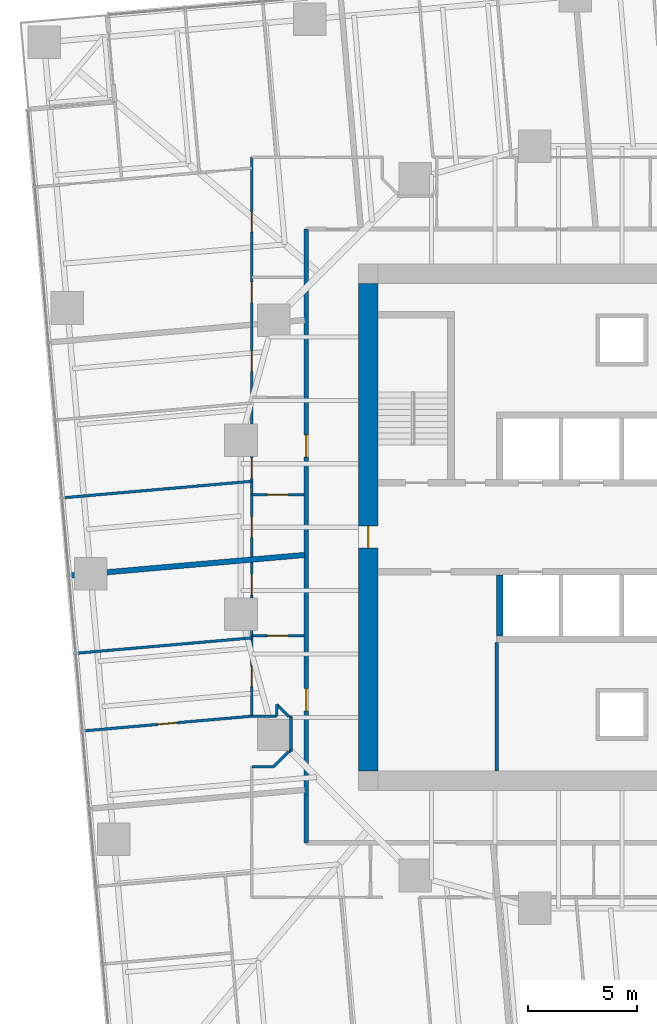
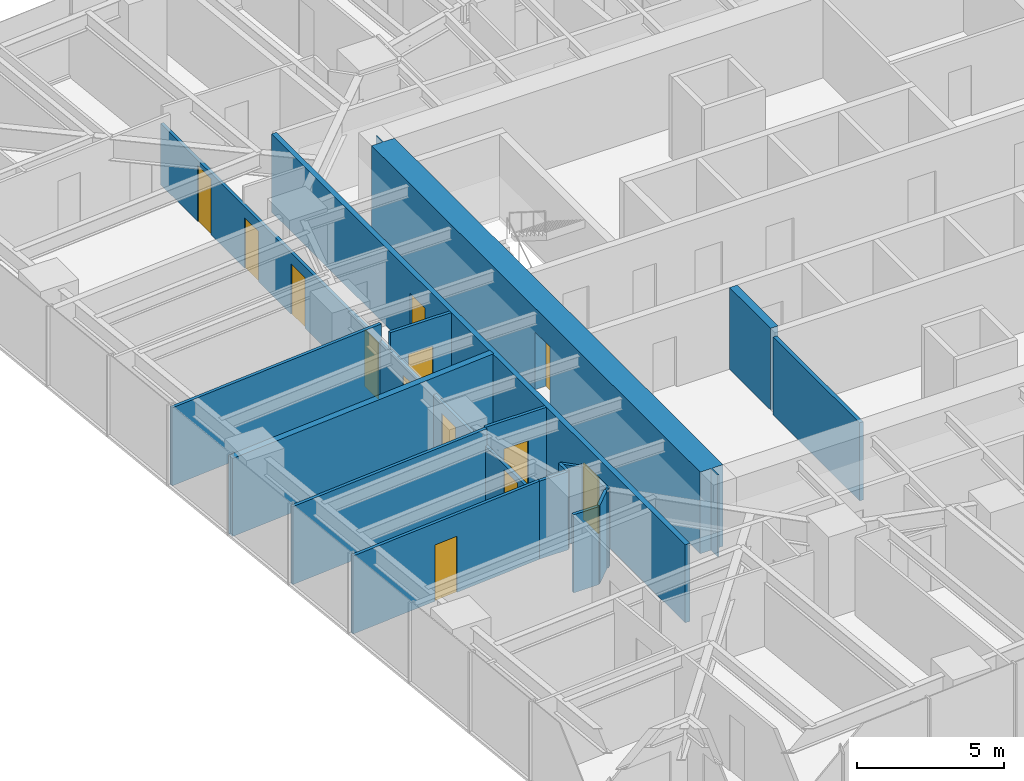
# One storey, part 9 of 14: 19 walls, 13 doors, 13 openings.
"""IFC4 building model written with IfcOpenShell, lengths in metres."""

from ifc_helpers import new_model, si_unit, direction, frame, frame_2d, origin, place, context, subcontext, project, spatial, polyline, rectangle, outline, extrude, material, layer, layer_set, type_object, element, fill, save


model = new_model("IFC4")

# Units and contexts
model_context = context("Model", 3, precision=1e-05, world=origin(), true_north=direction((0.0, 1.0)))
body_context = subcontext(model_context, "Body", "Model", "MODEL_VIEW")
ifc_project = project(units=[si_unit("LENGTHUNIT", "METRE"), si_unit("AREAUNIT", "SQUARE_METRE"), si_unit("VOLUMEUNIT", "CUBIC_METRE"), si_unit("PLANEANGLEUNIT", "RADIAN"), si_unit("MASSUNIT", "GRAM", prefix="KILO")], contexts=[model_context])

# Site, building, storey
site_placement = place(None, origin())
site = spatial("IfcSite", under=ifc_project, at=site_placement, CompositionType="ELEMENT")
building_placement = place(site_placement, origin())
building = spatial("IfcBuilding", under=site, at=building_placement, Name="Torsade Residences", CompositionType="ELEMENT")
storey_placement = place(building_placement, frame((0.0, 0.0, 54.0)))
storey = spatial("IfcBuildingStorey", under=building, at=storey_placement, Name="L14", CompositionType="ELEMENT", Elevation=54.0)

# Wall
ifc_material_1 = material(Name="Concrete 80 MPa", Category="concrete")
ifc_layer_1 = layer(ifc_material_1, 0.300048828125)
ifc_layer_set_1 = layer_set([ifc_layer_1], Name="Concrete 80 MPa")
wall_type_1 = type_object("IfcWallType", Name="CORE INTERNAL WALL 300", PredefinedType="SHEAR", material=ifc_layer_set_1)
wall_1_placement = place(storey_placement, frame((34.39990234375, 27.800048828125, 0.0), z_axis=(0.0, 0.0, 1.0), x_axis=(0.0, -1.0, 0.0)))
element("IfcWall", 1, at=wall_1_placement, inside=storey, type_object=wall_type_1, Name="Core wall DS4 L14", PredefinedType="SHEAR", context=body_context, shape_type="SweptSolid", body=[
    extrude(rectangle(XDim=2.800048828125, YDim=0.300048828125, at=frame_2d((1.39990234375, 0.0))), origin(), (0.0, 0.0, 1.0), 3.39990234375),
])

# Wall, opening, door
ifc_material_2 = material(Name="Concrete 80 MPa", Category="concrete")
ifc_layer_2 = layer(ifc_material_2, 0.89990234375)
ifc_layer_set_2 = layer_set([ifc_layer_2], Name="Concrete 80 MPa")
wall_type_2 = type_object("IfcWallType", Name="CORE WALL 900", PredefinedType="SHEAR", material=ifc_layer_set_2)
wall_2_placement = place(storey_placement, frame((28.35009765625, 41.199951171875, 0.0), z_axis=(0.0, 0.0, 1.0), x_axis=(0.0, -1.0, 0.0)))
wall_2 = element("IfcWall", 2, at=wall_2_placement, inside=storey, type_object=wall_type_2, Name="Core wall W L14", PredefinedType="SHEAR", context=body_context, shape_type="SweptSolid", body=[
    extrude(outline(polyline([(0.0, -0.449951171875), (22.39990234375, -0.449951171875), (22.39990234375, -0.02490234375), (22.849853515625, -0.02490234375), (22.849853515625, 0.02490234375), (22.39990234375, 0.02490234375), (22.39990234375, 0.449951171875), (0.0, 0.449951171875), (0.0, 0.02490234375), (-0.449951171875, 0.02490234375), (-0.449951171875, -0.02490234375), (0.0, -0.02490234375), (0.0, -0.449951171875)])), origin(), (0.0, 0.0, 1.0), 3.39990234375),
])
opening_1_placement = place(wall_2_placement, frame((11.139892578125, 0.0, 0.0)))
opening_1 = element("IfcOpeningElement", 3, at=opening_1_placement, cuts=wall_2, Name="Opening D04", PredefinedType="OPENING", context=body_context, shape_type="SweptSolid", body=[
    extrude(rectangle(XDim=1.02001953125, YDim=2.39990234375, at=frame_2d((0.510009765625, 1.199951171875))), frame((0.0, 0.4599609375, 0.0), z_axis=(0.0, -1.0, 0.0), x_axis=(1.0, 0.0, 0.0)), (0.0, 0.0, 1.0), 0.919921875),
])
ifc_material_3 = material(Name="Steel-framed fire door", Category="steel")
door_type_1 = type_object("IfcDoorType", Name="LOBBY SMOKE DOOR 1020x2400", OperationType="NOTDEFINED", PredefinedType="DOOR", material=ifc_material_3)
door_1_placement = place(opening_1_placement, origin())
door_1 = element("IfcDoor", 4, at=door_1_placement, inside=storey, type_object=door_type_1, Name="Lift lobby door W L14", OperationType="SINGLE_SWING_RIGHT", OverallHeight=2.39990234375, OverallWidth=1.02001953125, PredefinedType="DOOR", context=body_context, shape_type="SweptSolid", body=[
    extrude(rectangle(XDim=1.02001953125, YDim=2.39990234375, at=frame_2d((0.510009765625, 1.199951171875))), frame((0.0, 0.02490234375, 0.0), z_axis=(0.0, -1.0, 0.0), x_axis=(1.0, 0.0, 0.0)), (0.0, 0.0, 1.0), 0.050048828125),
])
fill(opening_1, door_1)

# Wall, openings, doors
ifc_material_4 = material(Name="Plasterboard on steel stud", Category="steel")
ifc_layer_3 = layer(ifc_material_4, 0.199951171875)
ifc_layer_set_3 = layer_set([ifc_layer_3], Name="Plasterboard on steel stud")
wall_type_3 = type_object("IfcWallType", Name="CORRIDOR WALL 200", PredefinedType="PARTITIONING", material=ifc_layer_set_3)
wall_3_placement = place(storey_placement, frame((25.5, 43.699951171875, 0.0), z_axis=(0.0, 0.0, 1.0), x_axis=(0.0, -1.0, 0.0)))
wall_3 = element("IfcWall", 5, at=wall_3_placement, inside=storey, type_object=wall_type_3, Name="Corridor wall L14", PredefinedType="PARTITIONING", context=body_context, shape_type="SweptSolid", body=[
    extrude(rectangle(XDim=28.199951171875, YDim=0.199951171875, at=frame_2d((14.10009765625, 0.0))), origin(), (0.0, 0.0, 1.0), 3.25),
])
opening_2_placement = place(wall_3_placement, frame((21.113037109375, 0.0, 0.0)))
opening_2 = element("IfcOpeningElement", 6, at=opening_2_placement, cuts=wall_3, Name="Opening D01", PredefinedType="OPENING", context=body_context, shape_type="SweptSolid", body=[
    extrude(rectangle(XDim=1.02001953125, YDim=2.340087890625, at=frame_2d((0.510009765625, 1.169921875))), frame((0.0, 0.10986328125, 0.0), z_axis=(0.0, -1.0, 0.0), x_axis=(1.0, 0.0, 0.0)), (0.0, 0.0, 1.0), 0.219970703125),
])
opening_3_placement = place(wall_3_placement, frame((9.45703125, 0.0, 0.0)))
opening_3 = element("IfcOpeningElement", 7, at=opening_3_placement, cuts=wall_3, Name="Opening D01", PredefinedType="OPENING", context=body_context, shape_type="SweptSolid", body=[
    extrude(rectangle(XDim=1.02001953125, YDim=2.340087890625, at=frame_2d((0.510009765625, 1.169921875))), frame((0.0, 0.10986328125, 0.0), z_axis=(0.0, -1.0, 0.0), x_axis=(1.0, 0.0, 0.0)), (0.0, 0.0, 1.0), 0.219970703125),
])
ifc_material_5 = material(Name="Solid-core timber fire door", Category="wood")
door_type_2 = type_object("IfcDoorType", Name="APARTMENT ENTRY DOOR 1020x2340", OperationType="NOTDEFINED", PredefinedType="DOOR", material=ifc_material_5)
door_2_placement = place(opening_2_placement, origin())
door_2 = element("IfcDoor", 8, at=door_2_placement, inside=storey, type_object=door_type_2, Name="Door Residential corridor to Kitchen and dining", OperationType="SINGLE_SWING_LEFT", OverallHeight=2.340087890625, OverallWidth=1.02001953125, PredefinedType="DOOR", context=body_context, shape_type="SweptSolid", body=[
    extrude(rectangle(XDim=1.02001953125, YDim=2.340087890625, at=frame_2d((0.510009765625, 1.169921875))), frame((0.0, 0.02490234375, 0.0), z_axis=(0.0, -1.0, 0.0), x_axis=(1.0, 0.0, 0.0)), (0.0, 0.0, 1.0), 0.050048828125),
])
fill(opening_2, door_2)
door_3_placement = place(opening_3_placement, origin())
door_3 = element("IfcDoor", 9, at=door_3_placement, inside=storey, type_object=door_type_2, Name="Door Residential corridor to Kitchen and dining", OperationType="SINGLE_SWING_RIGHT", OverallHeight=2.340087890625, OverallWidth=1.02001953125, PredefinedType="DOOR", context=body_context, shape_type="SweptSolid", body=[
    extrude(rectangle(XDim=1.02001953125, YDim=2.340087890625, at=frame_2d((0.510009765625, 1.169921875))), frame((0.0, 0.02490234375, 0.0), z_axis=(0.0, -1.0, 0.0), x_axis=(1.0, 0.0, 0.0)), (0.0, 0.0, 1.0), 0.050048828125),
])
fill(opening_3, door_3)

# Wall, opening, door
ifc_material_6 = material(Name="Plasterboard on steel stud", Category="steel")
ifc_layer_4 = layer(ifc_material_6, 0.1201171875)
ifc_layer_set_4 = layer_set([ifc_layer_4], Name="Plasterboard on steel stud")
wall_type_4 = type_object("IfcWallType", Name="PARTITION 120", PredefinedType="PARTITIONING", material=ifc_layer_set_4)
wall_4_placement = place(storey_placement, frame((23.0, 25.005859375, 0.0), z_axis=(0.0, 0.0, 1.0), x_axis=(1.0, 0.0, 0.0)))
wall_4 = element("IfcWall", 10, at=wall_4_placement, inside=storey, type_object=wall_type_4, Name="Partition L14", PredefinedType="PARTITIONING", context=body_context, shape_type="SweptSolid", body=[
    extrude(rectangle(XDim=2.39990234375, YDim=0.1201171875, at=frame_2d((1.199951171875, 0.0))), origin(), (0.0, 0.0, 1.0), 3.25),
])
opening_4_placement = place(wall_4_placement, frame((0.719970703125, 0.0, 0.0)))
opening_4 = element("IfcOpeningElement", 11, at=opening_4_placement, cuts=wall_4, Name="Opening D05", PredefinedType="OPENING", context=body_context, shape_type="SweptSolid", body=[
    extrude(rectangle(XDim=0.9599609375, YDim=2.10009765625, at=frame_2d((0.47998046875, 1.050048828125))), frame((0.0, 0.070068359375, 0.0), z_axis=(0.0, -1.0, 0.0), x_axis=(1.0, 0.0, 0.0)), (0.0, 0.0, 1.0), 0.14013671875),
])
ifc_material_7 = material(Name="Hollow-core timber door in a steel cavity frame", Category="steel")
door_type_3 = type_object("IfcDoorType", Name="BATHROOM CAVITY SLIDING DOOR 960", OperationType="SLIDING_TO_LEFT", PredefinedType="DOOR", material=ifc_material_7)
door_4_placement = place(opening_4_placement, origin())
door_4 = element("IfcDoor", 12, at=door_4_placement, inside=storey, type_object=door_type_3, Name="Door Kitchen and dining to Bathroom", OperationType="SLIDING_TO_LEFT", OverallHeight=2.10009765625, OverallWidth=0.9599609375, PredefinedType="DOOR", context=body_context, shape_type="SweptSolid", body=[
    extrude(rectangle(XDim=0.9599609375, YDim=2.10009765625, at=frame_2d((0.47998046875, 1.050048828125))), frame((0.0, 0.02490234375, 0.0), z_axis=(0.0, -1.0, 0.0), x_axis=(1.0, 0.0, 0.0)), (0.0, 0.0, 1.0), 0.050048828125),
])
fill(opening_4, door_4)

# Wall, openings, doors
wall_5_placement = place(storey_placement, frame((23.0, 21.318603515625, 0.0), z_axis=(0.0, 0.0, 1.0), x_axis=(0.0, 1.0, 0.0)))
wall_5 = element("IfcWall", 13, at=wall_5_placement, inside=storey, type_object=wall_type_4, Name="Partition L14", PredefinedType="PARTITIONING", context=body_context, shape_type="SweptSolid", body=[
    extrude(rectangle(XDim=25.681396484375, YDim=0.1201171875, at=frame_2d((12.8408203125, 0.0))), origin(), (0.0, 0.0, 1.0), 2.550048828125),
])
opening_5_placement = place(wall_5_placement, frame((1.36376953125, 0.0, 0.0)))
opening_5 = element("IfcOpeningElement", 14, at=opening_5_placement, cuts=wall_5, Name="Opening D02", PredefinedType="OPENING", context=body_context, shape_type="SweptSolid", body=[
    extrude(rectangle(XDim=0.919921875, YDim=2.340087890625, at=frame_2d((0.4599609375, 1.169921875))), frame((0.0, 0.070068359375, 0.0), z_axis=(0.0, -1.0, 0.0), x_axis=(1.0, 0.0, 0.0)), (0.0, 0.0, 1.0), 0.14013671875),
])
opening_6_placement = place(wall_5_placement, frame((10.9296875, 0.0, 0.0)))
opening_6 = element("IfcOpeningElement", 15, at=opening_6_placement, cuts=wall_5, Name="Opening D02", PredefinedType="OPENING", context=body_context, shape_type="SweptSolid", body=[
    extrude(rectangle(XDim=0.919921875, YDim=2.340087890625, at=frame_2d((0.4599609375, 1.169921875))), frame((0.0, 0.070068359375, 0.0), z_axis=(0.0, -1.0, 0.0), x_axis=(1.0, 0.0, 0.0)), (0.0, 0.0, 1.0), 0.14013671875),
])
opening_7_placement = place(wall_5_placement, frame((22.23291015625, 0.0, 0.0)))
opening_7 = element("IfcOpeningElement", 16, at=opening_7_placement, cuts=wall_5, Name="Opening D02", PredefinedType="OPENING", context=body_context, shape_type="SweptSolid", body=[
    extrude(rectangle(XDim=0.919921875, YDim=2.340087890625, at=frame_2d((0.4599609375, 1.169921875))), frame((0.0, 0.070068359375, 0.0), z_axis=(0.0, -1.0, 0.0), x_axis=(1.0, 0.0, 0.0)), (0.0, 0.0, 1.0), 0.14013671875),
])
opening_8_placement = place(wall_5_placement, frame((18.99072265625, 0.0, 0.0)))
opening_8 = element("IfcOpeningElement", 17, at=opening_8_placement, cuts=wall_5, Name="Opening D05", PredefinedType="OPENING", context=body_context, shape_type="SweptSolid", body=[
    extrude(rectangle(XDim=0.9599609375, YDim=2.10009765625, at=frame_2d((0.47998046875, 1.050048828125))), frame((0.0, 0.070068359375, 0.0), z_axis=(0.0, -1.0, 0.0), x_axis=(1.0, 0.0, 0.0)), (0.0, 0.0, 1.0), 0.14013671875),
])
opening_9_placement = place(wall_5_placement, frame((5.560791015625, 0.0, 0.0)))
opening_9 = element("IfcOpeningElement", 18, at=opening_9_placement, cuts=wall_5, Name="Opening D05", PredefinedType="OPENING", context=body_context, shape_type="SweptSolid", body=[
    extrude(rectangle(XDim=0.9599609375, YDim=2.10009765625, at=frame_2d((0.47998046875, 1.050048828125))), frame((0.0, 0.070068359375, 0.0), z_axis=(0.0, -1.0, 0.0), x_axis=(1.0, 0.0, 0.0)), (0.0, 0.0, 1.0), 0.14013671875),
])
opening_10_placement = place(wall_5_placement, frame((15.836181640625, 0.0, 0.0)))
opening_10 = element("IfcOpeningElement", 19, at=opening_10_placement, cuts=wall_5, Name="Opening D05", PredefinedType="OPENING", context=body_context, shape_type="SweptSolid", body=[
    extrude(rectangle(XDim=0.9599609375, YDim=2.10009765625, at=frame_2d((0.47998046875, 1.050048828125))), frame((0.0, 0.070068359375, 0.0), z_axis=(0.0, -1.0, 0.0), x_axis=(1.0, 0.0, 0.0)), (0.0, 0.0, 1.0), 0.14013671875),
])
opening_11_placement = place(wall_5_placement, frame((8.207763671875, 0.0, 0.0)))
opening_11 = element("IfcOpeningElement", 20, at=opening_11_placement, cuts=wall_5, Name="Opening D05", PredefinedType="OPENING", context=body_context, shape_type="SweptSolid", body=[
    extrude(rectangle(XDim=0.9599609375, YDim=2.10009765625, at=frame_2d((0.47998046875, 1.050048828125))), frame((0.0, 0.070068359375, 0.0), z_axis=(0.0, -1.0, 0.0), x_axis=(1.0, 0.0, 0.0)), (0.0, 0.0, 1.0), 0.14013671875),
])
door_5_placement = place(opening_8_placement, origin())
door_5 = element("IfcDoor", 21, at=door_5_placement, inside=storey, type_object=door_type_3, Name="Door Living room to Bathroom", OperationType="SLIDING_TO_LEFT", OverallHeight=2.10009765625, OverallWidth=0.9599609375, PredefinedType="DOOR", context=body_context, shape_type="SweptSolid", body=[
    extrude(rectangle(XDim=0.9599609375, YDim=2.10009765625, at=frame_2d((0.47998046875, 1.050048828125))), frame((0.0, 0.02490234375, 0.0), z_axis=(0.0, -1.0, 0.0), x_axis=(1.0, 0.0, 0.0)), (0.0, 0.0, 1.0), 0.050048828125),
])
fill(opening_8, door_5)
door_6_placement = place(opening_9_placement, origin())
door_6 = element("IfcDoor", 22, at=door_6_placement, inside=storey, type_object=door_type_3, Name="Door Bathroom to Living room", OperationType="SLIDING_TO_LEFT", OverallHeight=2.10009765625, OverallWidth=0.9599609375, PredefinedType="DOOR", context=body_context, shape_type="SweptSolid", body=[
    extrude(rectangle(XDim=0.9599609375, YDim=2.10009765625, at=frame_2d((0.47998046875, 1.050048828125))), frame((0.0, 0.02490234375, 0.0), z_axis=(0.0, -1.0, 0.0), x_axis=(1.0, 0.0, 0.0)), (0.0, 0.0, 1.0), 0.050048828125),
])
fill(opening_9, door_6)
door_7_placement = place(opening_10_placement, origin())
door_7 = element("IfcDoor", 23, at=door_7_placement, inside=storey, type_object=door_type_3, Name="Door Bathroom to Living room", OperationType="SLIDING_TO_LEFT", OverallHeight=2.10009765625, OverallWidth=0.9599609375, PredefinedType="DOOR", context=body_context, shape_type="SweptSolid", body=[
    extrude(rectangle(XDim=0.9599609375, YDim=2.10009765625, at=frame_2d((0.47998046875, 1.050048828125))), frame((0.0, 0.02490234375, 0.0), z_axis=(0.0, -1.0, 0.0), x_axis=(1.0, 0.0, 0.0)), (0.0, 0.0, 1.0), 0.050048828125),
])
fill(opening_10, door_7)
door_8_placement = place(opening_11_placement, origin())
door_8 = element("IfcDoor", 24, at=door_8_placement, inside=storey, type_object=door_type_3, Name="Door Ensuite to Bedroom 2", OperationType="SLIDING_TO_LEFT", OverallHeight=2.10009765625, OverallWidth=0.9599609375, PredefinedType="DOOR", context=body_context, shape_type="SweptSolid", body=[
    extrude(rectangle(XDim=0.9599609375, YDim=2.10009765625, at=frame_2d((0.47998046875, 1.050048828125))), frame((0.0, 0.02490234375, 0.0), z_axis=(0.0, -1.0, 0.0), x_axis=(1.0, 0.0, 0.0)), (0.0, 0.0, 1.0), 0.050048828125),
])
fill(opening_11, door_8)
ifc_material_8 = material(Name="Hollow-core timber door", Category="wood")
door_type_4 = type_object("IfcDoorType", Name="INTERNAL DOOR 920x2340", OperationType="NOTDEFINED", PredefinedType="DOOR", material=ifc_material_8)
door_9_placement = place(opening_5_placement, origin())
door_9 = element("IfcDoor", 25, at=door_9_placement, inside=storey, type_object=door_type_4, Name="Door Kitchen and dining to Bedroom 1", OperationType="SINGLE_SWING_RIGHT", OverallHeight=2.340087890625, OverallWidth=0.919921875, PredefinedType="DOOR", context=body_context, shape_type="SweptSolid", body=[
    extrude(rectangle(XDim=0.919921875, YDim=2.340087890625, at=frame_2d((0.4599609375, 1.169921875))), frame((0.0, 0.02490234375, 0.0), z_axis=(0.0, -1.0, 0.0), x_axis=(1.0, 0.0, 0.0)), (0.0, 0.0, 1.0), 0.050048828125),
])
fill(opening_5, door_9)
door_10_placement = place(opening_6_placement, origin())
door_10 = element("IfcDoor", 26, at=door_10_placement, inside=storey, type_object=door_type_4, Name="Door Kitchen and dining to Bedroom 1", OperationType="SINGLE_SWING_RIGHT", OverallHeight=2.340087890625, OverallWidth=0.919921875, PredefinedType="DOOR", context=body_context, shape_type="SweptSolid", body=[
    extrude(rectangle(XDim=0.919921875, YDim=2.340087890625, at=frame_2d((0.4599609375, 1.169921875))), frame((0.0, 0.02490234375, 0.0), z_axis=(0.0, -1.0, 0.0), x_axis=(1.0, 0.0, 0.0)), (0.0, 0.0, 1.0), 0.050048828125),
])
fill(opening_6, door_10)
door_11_placement = place(opening_7_placement, origin())
door_11 = element("IfcDoor", 27, at=door_11_placement, inside=storey, type_object=door_type_4, Name="Door Kitchen and dining to Living room", OperationType="SINGLE_SWING_RIGHT", OverallHeight=2.340087890625, OverallWidth=0.919921875, PredefinedType="DOOR", context=body_context, shape_type="SweptSolid", body=[
    extrude(rectangle(XDim=0.919921875, YDim=2.340087890625, at=frame_2d((0.4599609375, 1.169921875))), frame((0.0, 0.02490234375, 0.0), z_axis=(0.0, -1.0, 0.0), x_axis=(1.0, 0.0, 0.0)), (0.0, 0.0, 1.0), 0.050048828125),
])
fill(opening_7, door_11)

# Walls
wall_6_placement = place(storey_placement, frame((23.0, 19.0, 0.0), z_axis=(0.0, 0.0, 1.0), x_axis=(1.0, 0.0, 0.0)))
element("IfcWall", 28, at=wall_6_placement, inside=storey, type_object=wall_type_4, Name="Partition L14", PredefinedType="PARTITIONING", context=body_context, shape_type="SweptSolid", body=[
    extrude(rectangle(XDim=1.0, YDim=0.1201171875, at=frame_2d((0.5, 0.0))), origin(), (0.0, 0.0, 1.0), 3.25),
])
wall_7_placement = place(storey_placement, frame((24.0, 19.0, 0.0), z_axis=(0.0, 0.0, 1.0), x_axis=(0.707106781187, 0.707106781187, 0.0)))
element("IfcWall", 29, at=wall_7_placement, inside=storey, type_object=wall_type_4, Name="Partition L14", PredefinedType="PARTITIONING", context=body_context, shape_type="SweptSolid", body=[
    extrude(rectangle(XDim=0.989990234375, YDim=0.1201171875, at=frame_2d((0.4951171875, 0.0))), origin(), (0.0, 0.0, 1.0), 3.25),
])
wall_8_placement = place(storey_placement, frame((24.800048828125, 19.699951171875, 0.0), z_axis=(0.0, 0.0, 1.0), x_axis=(0.0, 1.0, 0.0)))
element("IfcWall", 30, at=wall_8_placement, inside=storey, type_object=wall_type_4, Name="Partition L14", PredefinedType="PARTITIONING", context=body_context, shape_type="SweptSolid", body=[
    extrude(rectangle(XDim=1.60009765625, YDim=0.1201171875, at=frame_2d((0.800048828125, 0.0))), origin(), (0.0, 0.0, 1.0), 3.25),
])
wall_9_placement = place(storey_placement, frame((24.699951171875, 21.300048828125, 0.0), z_axis=(0.0, 0.0, 1.0), x_axis=(-0.707106781187, 0.707106781187, 0.0)))
element("IfcWall", 31, at=wall_9_placement, inside=storey, type_object=wall_type_4, Name="Partition L14", PredefinedType="PARTITIONING", context=body_context, shape_type="SweptSolid", body=[
    extrude(rectangle(XDim=0.7919921875, YDim=0.1201171875, at=frame_2d((0.39599609375, 0.0))), origin(), (0.0, 0.0, 1.0), 3.25),
])
wall_10_placement = place(storey_placement, frame((24.139892578125, 21.860107421875, 0.0), z_axis=(0.0, 0.0, 1.0), x_axis=(0.0, -1.0, 0.0)))
element("IfcWall", 32, at=wall_10_placement, inside=storey, type_object=wall_type_4, Name="Partition L14", PredefinedType="PARTITIONING", context=body_context, shape_type="SweptSolid", body=[
    extrude(rectangle(XDim=0.54150390625, YDim=0.1201171875, at=frame_2d((0.270751953125, 0.0))), origin(), (0.0, 0.0, 1.0), 3.25),
])
wall_11_placement = place(storey_placement, frame((24.139892578125, 21.318603515625, 0.0), z_axis=(0.0, 0.0, 1.0), x_axis=(-1.0, 0.0, 0.0)))
element("IfcWall", 33, at=wall_11_placement, inside=storey, type_object=wall_type_4, Name="Partition L14", PredefinedType="PARTITIONING", context=body_context, shape_type="SweptSolid", body=[
    extrude(rectangle(XDim=1.139892578125, YDim=0.1201171875, at=frame_2d((0.56982421875, 0.0))), origin(), (0.0, 0.0, 1.0), 3.25),
])
wall_12_placement = place(storey_placement, frame((23.0, 24.915771484375, 0.0), z_axis=(0.0, 0.0, 1.0), x_axis=(-0.99619214338, -0.087184938313, 0.0)))
element("IfcWall", 34, at=wall_12_placement, inside=storey, type_object=wall_type_4, Name="Partition L14", PredefinedType="PARTITIONING", context=body_context, shape_type="SweptSolid", body=[
    extrude(rectangle(XDim=8.08154296875, YDim=0.1201171875, at=frame_2d((4.040771484375, 0.0))), origin(), (0.0, 0.0, 1.0), 3.25),
])

# Wall, opening, door
wall_13_placement = place(storey_placement, frame((23.0, 21.318603515625, 0.0), z_axis=(0.0, 0.0, 1.0), x_axis=(-0.996195047824, -0.0871517452, 0.0)))
wall_13 = element("IfcWall", 35, at=wall_13_placement, inside=storey, type_object=wall_type_4, Name="Partition L14", PredefinedType="PARTITIONING", context=body_context, shape_type="SweptSolid", body=[
    extrude(rectangle(XDim=7.76806640625, YDim=0.1201171875, at=frame_2d((3.884033203125, 0.0))), origin(), (0.0, 0.0, 1.0), 3.25),
])
opening_12_placement = place(wall_13_placement, frame((3.444091796875, 0.0, 0.0)))
opening_12 = element("IfcOpeningElement", 36, at=opening_12_placement, cuts=wall_13, Name="Opening D02", PredefinedType="OPENING", context=body_context, shape_type="SweptSolid", body=[
    extrude(rectangle(XDim=0.919921875, YDim=2.340087890625, at=frame_2d((0.4599609375, 1.169921875))), frame((0.0, 0.070068359375, 0.0), z_axis=(0.0, -1.0, 0.0), x_axis=(1.0, 0.0, 0.0)), (0.0, 0.0, 1.0), 0.14013671875),
])
door_12_placement = place(opening_12_placement, origin())
door_12 = element("IfcDoor", 37, at=door_12_placement, inside=storey, type_object=door_type_4, Name="Door Bedroom 1 to Bedroom 2", OperationType="SINGLE_SWING_RIGHT", OverallHeight=2.340087890625, OverallWidth=0.919921875, PredefinedType="DOOR", context=body_context, shape_type="SweptSolid", body=[
    extrude(rectangle(XDim=0.919921875, YDim=2.340087890625, at=frame_2d((0.4599609375, 1.169921875))), frame((0.0, 0.02490234375, 0.0), z_axis=(0.0, -1.0, 0.0), x_axis=(1.0, 0.0, 0.0)), (0.0, 0.0, 1.0), 0.050048828125),
])
fill(opening_12, door_12)

wall_14_placement = place(storey_placement, frame((25.39990234375, 31.499755859375, 0.0), z_axis=(0.0, 0.0, 1.0), x_axis=(-1.0, 0.0, 0.0)))
wall_14 = element("IfcWall", 38, at=wall_14_placement, inside=storey, type_object=wall_type_4, Name="Partition L14", PredefinedType="PARTITIONING", context=body_context, shape_type="SweptSolid", body=[
    extrude(rectangle(XDim=2.39990234375, YDim=0.1201171875, at=frame_2d((1.199951171875, 0.0))), origin(), (0.0, 0.0, 1.0), 3.25),
])
opening_13_placement = place(wall_14_placement, frame((0.719970703125, 0.0, 0.0)))
opening_13 = element("IfcOpeningElement", 39, at=opening_13_placement, cuts=wall_14, Name="Opening D05", PredefinedType="OPENING", context=body_context, shape_type="SweptSolid", body=[
    extrude(rectangle(XDim=0.9599609375, YDim=2.10009765625, at=frame_2d((0.47998046875, 1.050048828125))), frame((0.0, 0.070068359375, 0.0), z_axis=(0.0, -1.0, 0.0), x_axis=(1.0, 0.0, 0.0)), (0.0, 0.0, 1.0), 0.14013671875),
])
door_13_placement = place(opening_13_placement, origin())
door_13 = element("IfcDoor", 40, at=door_13_placement, inside=storey, type_object=door_type_3, Name="Door Kitchen and dining to Ensuite", OperationType="SLIDING_TO_LEFT", OverallHeight=2.10009765625, OverallWidth=0.9599609375, PredefinedType="DOOR", context=body_context, shape_type="SweptSolid", body=[
    extrude(rectangle(XDim=0.9599609375, YDim=2.10009765625, at=frame_2d((0.47998046875, 1.050048828125))), frame((0.0, 0.02490234375, 0.0), z_axis=(0.0, -1.0, 0.0), x_axis=(1.0, 0.0, 0.0)), (0.0, 0.0, 1.0), 0.050048828125),
])
fill(opening_13, door_13)

# Walls
wall_15_placement = place(storey_placement, frame((23.0, 32.109619140625, 0.0), z_axis=(0.0, 0.0, 1.0), x_axis=(-0.996194478193, -0.087158256162, 0.0)))
element("IfcWall", 41, at=wall_15_placement, inside=storey, type_object=wall_type_4, Name="Partition L14", PredefinedType="PARTITIONING", context=body_context, shape_type="SweptSolid", body=[
    extrude(rectangle(XDim=8.708740234375, YDim=0.1201171875, at=frame_2d((4.3544921875, 0.0))), origin(), (0.0, 0.0, 1.0), 3.25),
])
for number, where, z_axis, x_axis, name in (
    (42, (24.800048828125, 19.699951171875, 0.0), (0.0, 0.0, 1.0), (-1.0, 0.0, 0.0), "Partition L14"),
    (43, (24.800048828125, 21.300048828125, 0.0), (0.0, 0.0, 1.0), (-1.0, 0.0, 0.0), "Partition L14"),
):
    element("IfcWall", number, at=place(storey_placement, frame(where, z_axis=z_axis, x_axis=x_axis)), inside=storey, type_object=wall_type_4, Name=name, PredefinedType="PARTITIONING", context=body_context, shape_type="SweptSolid", body=[
        extrude(rectangle(XDim=0.10009765625, YDim=0.1201171875, at=frame_2d((0.050048828125, 0.0))), origin(), (0.0, 0.0, 1.0), 3.25),
    ])
ifc_material_9 = material(Name="Masonry-lined stud party wall", Category="masonry")
ifc_layer_5 = layer(ifc_material_9, 0.25)
ifc_layer_set_5 = layer_set([ifc_layer_5], Name="Masonry-lined stud party wall")
wall_type_5 = type_object("IfcWallType", Name="PARTY WALL 250", PredefinedType="PARTITIONING", material=ifc_layer_set_5)
wall_16_placement = place(storey_placement, frame((14.596923828125, 27.777587890625, 0.0), z_axis=(0.0, 0.0, 1.0), x_axis=(0.996196056792, 0.087140211333, 0.0)))
element("IfcWall", 44, at=wall_16_placement, inside=storey, type_object=wall_type_5, Name="Party wall L14", PredefinedType="PARTITIONING", context=body_context, shape_type="SweptSolid", body=[
    extrude(rectangle(XDim=10.873291015625, YDim=0.25, at=frame_2d((5.4365234375, 0.0))), origin(), (0.0, 0.0, 1.0), 3.25),
])
ifc_material_10 = material(Name="Reinforced blockwork", Category="masonry")
ifc_layer_6 = layer(ifc_material_10, 0.14990234375)
ifc_layer_set_6 = layer_set([ifc_layer_6], Name="Reinforced blockwork")
wall_type_6 = type_object("IfcWallType", Name="SERVICE ROOM WALL 150", PredefinedType="SOLIDWALL", material=ifc_layer_set_6)
wall_17_placement = place(storey_placement, frame((34.25, 18.800048828125, 0.0), z_axis=(0.0, 0.0, 1.0), x_axis=(0.0, 1.0, 0.0)))
element("IfcWall", 45, at=wall_17_placement, inside=storey, type_object=wall_type_6, Name="Service room wall L14", PredefinedType="SOLIDWALL", context=body_context, shape_type="SweptSolid", body=[
    extrude(rectangle(XDim=5.89990234375, YDim=0.14990234375, at=frame_2d((2.949951171875, 0.0))), origin(), (0.0, 0.0, 1.0), 3.25),
])

save(model, "model.ifc")
